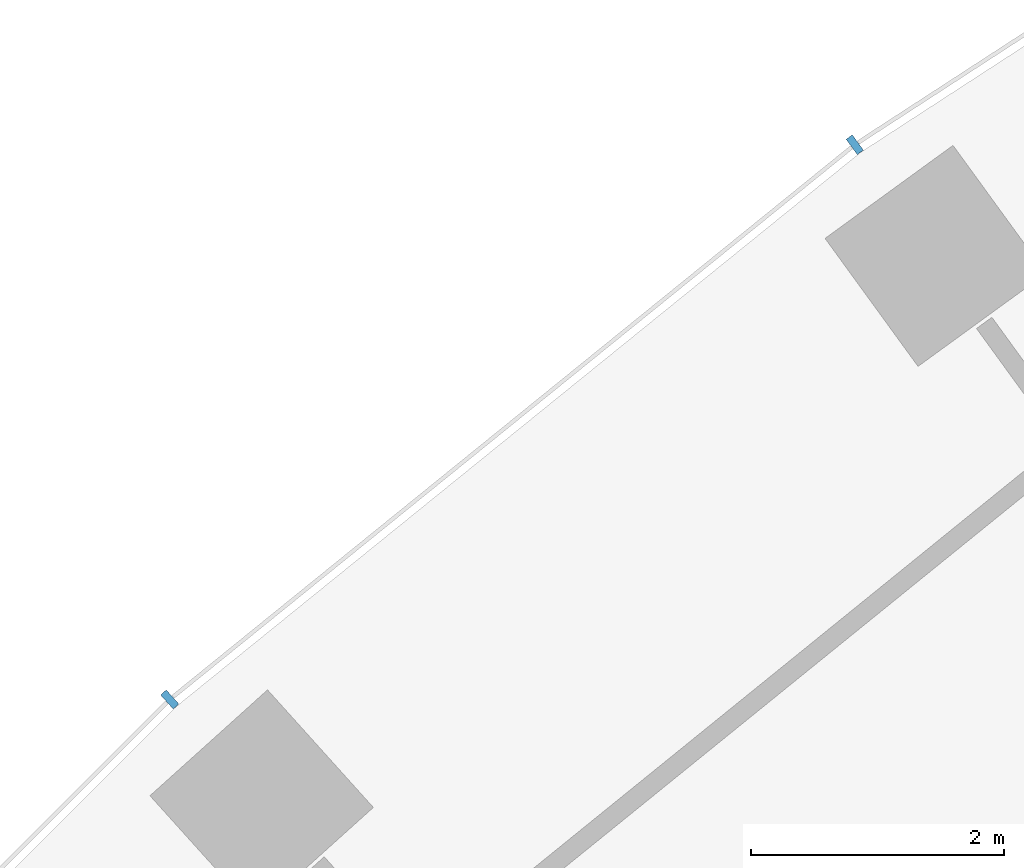
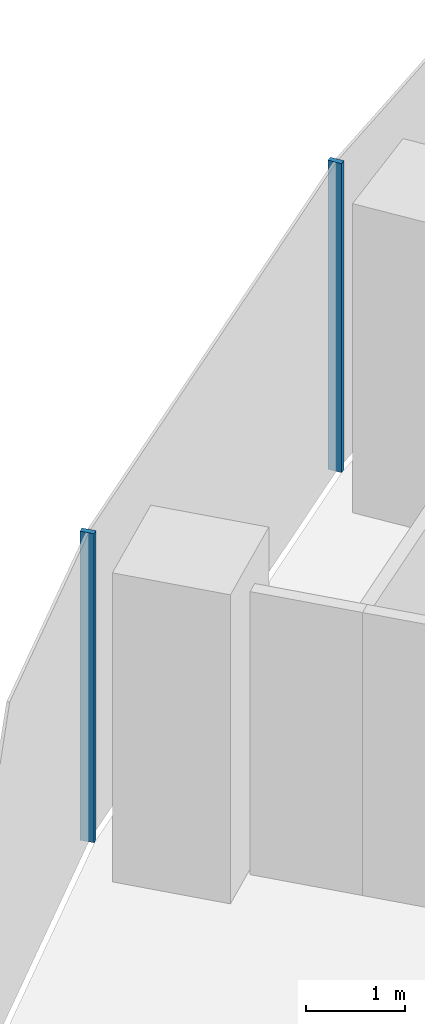
# One storey, part 4 of 21: 2 members, 1 element without a shape of its own.
"""IFC4 building model written with IfcOpenShell, lengths in metres."""

from ifc_helpers import new_model, si_unit, direction, frame, origin, origin_2d, place, context, subcontext, project, spatial, rectangle, extrude, material, layer, layer_set, material_profile, profile_set, type_object, element, aggregate, save


model = new_model("IFC4")

# Units and contexts
model_context = context("Model", 3, precision=1e-05, world=origin(), true_north=direction((0.0, 1.0)))
body_context = subcontext(model_context, "Body", "Model", "MODEL_VIEW")
ifc_project = project(units=[si_unit("LENGTHUNIT", "METRE"), si_unit("AREAUNIT", "SQUARE_METRE"), si_unit("VOLUMEUNIT", "CUBIC_METRE"), si_unit("PLANEANGLEUNIT", "RADIAN"), si_unit("MASSUNIT", "GRAM", prefix="KILO")], contexts=[model_context])

# Site, building, storey
site_placement = place(None, origin())
site = spatial("IfcSite", under=ifc_project, at=site_placement, CompositionType="ELEMENT")
building_placement = place(site_placement, origin())
building = spatial("IfcBuilding", under=site, at=building_placement, Name="Stone Belt Terrace Tower", CompositionType="ELEMENT")
storey_placement = place(building_placement, frame((0.0, 0.0, 68.0)))
storey = spatial("IfcBuildingStorey", under=building, at=storey_placement, Name="L16", CompositionType="ELEMENT", Elevation=68.0)

# Curtain wall, members
ifc_material = material(Name="Aluminium 6063-T6 anodised frame", Category="aluminium")
ifc_layer = layer(ifc_material, 0.14990234375)
ifc_layer_set = layer_set([ifc_layer], Name="CW-A unitised convex-face curtain wall")
curtain_wall_type = type_object("IfcCurtainWallType", Name="CW-A unitised convex-face curtain wall", PredefinedType="NOTDEFINED", material=ifc_layer_set)
curtain_wall_placement = place(storey_placement, origin())
curtain_wall = element("IfcCurtainWall", 1, at=curtain_wall_placement, inside=storey, type_object=curtain_wall_type, Name="CW-A convex face L16", PredefinedType="NOTDEFINED")
ifc_material_profile = material_profile(ifc_material, rectangle(XDim=0.14990234375, YDim=0.06005859375, at=origin_2d()), Name="Aluminium 6063-T6 60x150")
ifc_profile_set = profile_set([ifc_material_profile], Name="Aluminium 6063-T6 anodised frame")
member_type = type_object("IfcMemberType", Name="CW-A mullion 60 x 150", PredefinedType="MULLION", material=ifc_profile_set)
member_1_placement = place(storey_placement, frame((-39.1318359375, 53.8603515625, 0.0), z_axis=(0.0, 0.0, 1.0), x_axis=(0.587785252292, -0.809016994375, 0.0)))
member_1 = element("IfcMember", 2, at=member_1_placement, type_object=member_type, Name="CW-A mullion 15", PredefinedType="MULLION", context=body_context, shape_type="SweptSolid", body=[
    extrude(rectangle(XDim=0.14990234375, YDim=0.06005859375, at=origin_2d()), origin(), (0.0, 0.0, 1.0), 3.800048828125),
])
member_2_placement = place(storey_placement, frame((-44.54736328125, 49.474853515625, 0.0), z_axis=(0.0, 0.0, 1.0), x_axis=(0.669130606359, -0.743144825477, 0.0)))
member_2 = element("IfcMember", 3, at=member_2_placement, type_object=member_type, Name="CW-A mullion 16", PredefinedType="MULLION", context=body_context, shape_type="SweptSolid", body=[
    extrude(rectangle(XDim=0.14990234375, YDim=0.06005859375, at=origin_2d()), origin(), (0.0, 0.0, 1.0), 3.800048828125),
])
aggregate(curtain_wall, [member_1, member_2])

save(model, "model.ifc")
